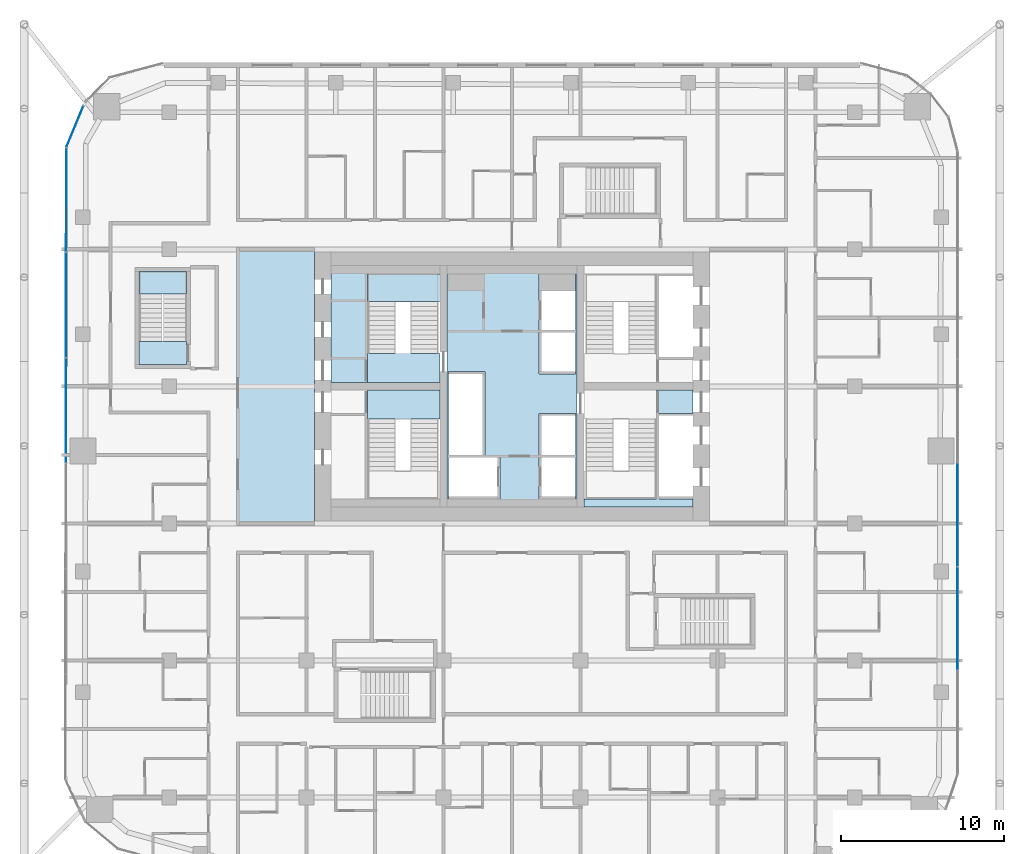
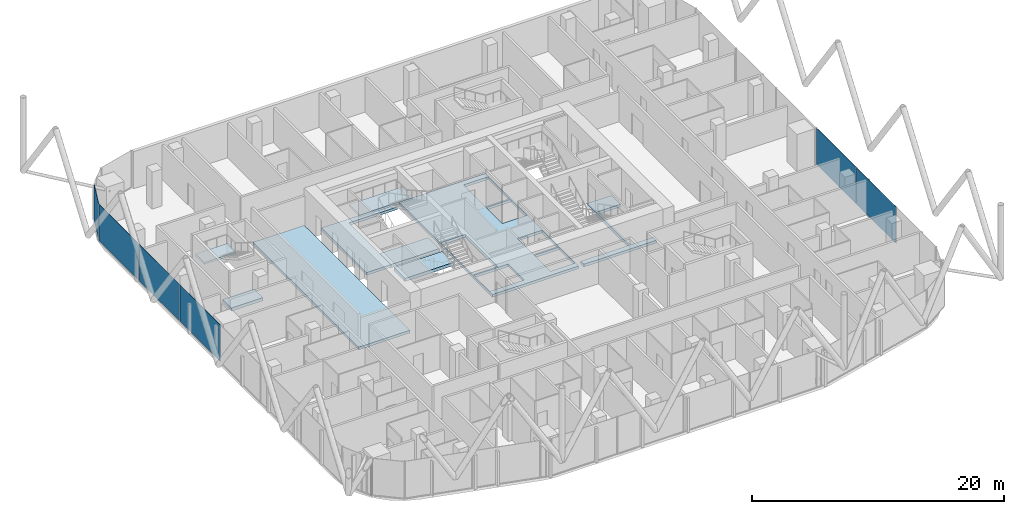
# One storey, part 21 of 33: 9 slabs, 6 plates, 5 elements without a shape of their own.
"""IFC4 building model written with IfcOpenShell, lengths in metres."""

from ifc_helpers import new_model, si_unit, direction, frame, origin, origin_2d, place, context, subcontext, project, spatial, polyline, rectangle, outline, extrude, material, layer, layer_set, type_object, element, aggregate, save


model = new_model("IFC4")

# Units and contexts
model_context = context("Model", 3, precision=1e-05, world=origin(), true_north=direction((0.0, 1.0)))
body_context = subcontext(model_context, "Body", "Model", "MODEL_VIEW")
ifc_project = project(units=[si_unit("LENGTHUNIT", "METRE"), si_unit("AREAUNIT", "SQUARE_METRE"), si_unit("VOLUMEUNIT", "CUBIC_METRE"), si_unit("PLANEANGLEUNIT", "RADIAN"), si_unit("MASSUNIT", "GRAM", prefix="KILO")], contexts=[model_context])

# Site, building, storey
site_placement = place(None, origin())
site = spatial("IfcSite", under=ifc_project, at=site_placement, CompositionType="ELEMENT")
building_placement = place(site_placement, origin())
building = spatial("IfcBuilding", under=site, at=building_placement, Name="Marenta Gate Hotel Tower", CompositionType="ELEMENT")
storey_placement = place(building_placement, frame((0.0, 0.0, 108.5)))
storey = spatial("IfcBuildingStorey", under=building, at=storey_placement, Name="L23", CompositionType="ELEMENT", Elevation=108.5)

# Slabs
ifc_material_1 = material(Name="Concrete C40", Category="concrete")
ifc_layer_1 = layer(ifc_material_1, 0.260009765625)
ifc_layer_set_1 = layer_set([ifc_layer_1], Name="Concrete C40")
slab_type_1 = type_object("IfcSlabType", Name="Core floor slab 260", PredefinedType="FLOOR", material=ifc_layer_set_1)
slab_1_placement = place(storey_placement, frame((0.0, 0.0, -0.260009765625)))
element("IfcSlab", 1, at=slab_1_placement, inside=storey, type_object=slab_type_1, Name="L23-CF-2", PredefinedType="FLOOR", context=body_context, shape_type="SweptSolid", body=[
    extrude(outline(polyline([(8.85009765625, 1.5), (8.85009765625, 6.39990234375), (8.85009765625, 8.10009765625), (8.85009765625, 8.175048828125), (11.10009765625, 8.175048828125), (11.10009765625, 6.75), (9.0, 6.75), (9.0, 6.60009765625), (9.0, 4.199951171875), (9.0, 4.050048828125), (9.0, 1.64990234375), (9.0, 1.5), (11.10009765625, 1.5), (11.10009765625, 1.0), (4.425048828125, 1.0), (4.425048828125, 1.5), (8.85009765625, 1.5)])), origin(), (0.0, 0.0, 1.0), 0.260009765625),
])
slab_2_placement = place(storey_placement, frame((0.0, 0.0, -0.260009765625)))
element("IfcSlab", 2, at=slab_2_placement, inside=storey, type_object=slab_type_1, Name="L23-CF-4", PredefinedType="FLOOR", context=body_context, shape_type="SweptSolid", body=[
    extrude(outline(polyline([(3.97509765625, 15.300048828125), (3.97509765625, 10.39990234375), (3.97509765625, 6.39990234375), (3.97509765625, 1.5), (3.97509765625, 1.0), (-3.97509765625, 1.0), (-3.97509765625, 1.5), (-3.97509765625, 6.39990234375), (-3.97509765625, 10.39990234375), (-3.97509765625, 15.300048828125), (-3.97509765625, 15.800048828125), (3.97509765625, 15.800048828125), (3.97509765625, 15.300048828125)]), holes=[polyline([(1.64990234375, 1.5), (3.89990234375, 1.5), (3.89990234375, 1.64990234375), (3.89990234375, 4.050048828125), (1.800048828125, 4.050048828125), (1.64990234375, 4.050048828125), (1.64990234375, 1.64990234375), (1.64990234375, 1.5)]), polyline([(1.64990234375, 6.60009765625), (1.64990234375, 4.199951171875), (1.800048828125, 4.199951171875), (3.89990234375, 4.199951171875), (3.89990234375, 6.60009765625), (3.89990234375, 6.75), (1.64990234375, 6.75), (1.64990234375, 6.60009765625)]), polyline([(1.64990234375, 9.14990234375), (3.89990234375, 9.14990234375), (3.89990234375, 9.300048828125), (3.89990234375, 11.699951171875), (1.800048828125, 11.699951171875), (1.64990234375, 11.699951171875), (1.64990234375, 9.300048828125), (1.64990234375, 9.14990234375)]), polyline([(1.64990234375, 15.300048828125), (1.64990234375, 14.25), (1.64990234375, 11.85009765625), (1.800048828125, 11.85009765625), (3.89990234375, 11.85009765625), (3.89990234375, 14.25), (3.89990234375, 15.300048828125), (1.64990234375, 15.300048828125)]), polyline([(-3.89990234375, 4.050048828125), (-3.89990234375, 1.64990234375), (-3.89990234375, 1.5), (-0.89990234375, 1.5), (-0.75, 1.5), (-0.75, 4.050048828125), (-0.89990234375, 4.050048828125), (-3.89990234375, 4.050048828125)]), polyline([(-1.800048828125, 4.199951171875), (-1.64990234375, 4.199951171875), (-1.64990234375, 9.14990234375), (-1.64990234375, 9.300048828125), (-3.89990234375, 9.300048828125), (-3.89990234375, 9.14990234375), (-3.89990234375, 6.75), (-3.89990234375, 6.60009765625), (-3.89990234375, 4.199951171875), (-1.800048828125, 4.199951171875)])]), origin(), (0.0, 0.0, 1.0), 0.260009765625),
])
slab_3_placement = place(storey_placement, frame((0.0, 0.0, -0.260009765625)))
element("IfcSlab", 3, at=slab_3_placement, inside=storey, type_object=slab_type_1, Name="L23-CF-6", PredefinedType="FLOOR", context=body_context, shape_type="SweptSolid", body=[
    extrude(outline(polyline([(-4.425048828125, 15.300048828125), (-8.85009765625, 15.300048828125), (-8.85009765625, 10.39990234375), (-8.85009765625, 8.699951171875), (-8.85009765625, 8.625), (-11.10009765625, 8.625), (-11.10009765625, 15.800048828125), (-4.425048828125, 15.800048828125), (-4.425048828125, 15.300048828125)])), origin(), (0.0, 0.0, 1.0), 0.260009765625),
])
slab_4_placement = place(storey_placement, frame((0.0, 0.0, -0.260009765625)))
element("IfcSlab", 4, at=slab_4_placement, inside=storey, type_object=slab_type_1, Name="L23-CF-7", PredefinedType="FLOOR", context=body_context, shape_type="SweptSolid", body=[
    extrude(outline(polyline([(-12.10009765625, 16.800048828125), (-12.10009765625, 0.0), (-16.800048828125, 0.0), (-16.800048828125, 16.800048828125), (-12.10009765625, 16.800048828125)])), origin(), (0.0, 0.0, 1.0), 0.260009765625),
])

# Stair, slab
ifc_material_2 = material(Name="Concrete C40", Category="concrete")
stair_type_1 = type_object("IfcStairType", Name="Core exit stair 1700 wide", PredefinedType="HALF_TURN_STAIR", material=ifc_material_2)
stair_1_placement = place(storey_placement, origin())
stair_1 = element("IfcStair", 5, at=stair_1_placement, inside=storey, type_object=stair_type_1, Name="Exit stair 2", PredefinedType="HALF_TURN_STAIR")
ifc_material_3 = material(Name="Concrete C40", Category="concrete")
ifc_layer_2 = layer(ifc_material_3, 0.199951171875)
ifc_layer_set_2 = layer_set([ifc_layer_2], Name="Concrete C40")
slab_type_2 = type_object("IfcSlabType", Name="Core stair landing 200", PredefinedType="LANDING", material=ifc_layer_set_2)
slab_5_placement = place(storey_placement, frame((0.0, 0.0, 1.60009765625)))
slab_5 = element("IfcSlab", 6, at=slab_5_placement, type_object=slab_type_2, Name="SL-200 ST2 landing 1", PredefinedType="LANDING", context=body_context, shape_type="SweptSolid", body=[
    extrude(outline(polyline([(-8.85009765625, 13.590087890625), (-3.97509765625, 13.590087890625), (-3.97509765625, 15.300048828125), (-8.85009765625, 15.300048828125), (-8.85009765625, 13.590087890625)])), origin(), (0.0, 0.0, 1.0), 0.199951171875),
])
aggregate(stair_1, [slab_5])

# Curtain wall, plate
ifc_material_4 = material(Name="Tinted insulated glass in bronze anodised frame", Category="glass")
ifc_layer_3 = layer(ifc_material_4, 0.1201171875)
ifc_layer_set_3 = layer_set([ifc_layer_3], Name="Tinted insulated glass in bronze anodised frame")
curtain_wall_type = type_object("IfcCurtainWallType", Name="Tower unitised curtain wall CW1", PredefinedType="NOTDEFINED", material=ifc_layer_set_3)
curtain_wall_1_placement = place(storey_placement, origin())
curtain_wall_1 = element("IfcCurtainWall", 7, at=curtain_wall_1_placement, inside=storey, type_object=curtain_wall_type, Name="CW1 run G03", PredefinedType="NOTDEFINED")
ifc_material_5 = material(Name="Tinted insulated glass", Category="glass")
ifc_layer_4 = layer(ifc_material_5, 0.028076171875)
ifc_layer_set_4 = layer_set([ifc_layer_4], Name="Tinted insulated glass")
plate_type = type_object("IfcPlateType", Name="Glass panel CW1 28 mm tinted insulated unit", PredefinedType="CURTAIN_PANEL", material=ifc_layer_set_4)
plate_1_placement = place(storey_placement, frame((-26.791015625, 24.324462890625, 0.06005859375), z_axis=(0.0, 0.0, 1.0), x_axis=(-0.382683829775, -0.923879367898, 0.0)))
plate_1 = element("IfcPlate", 8, at=plate_1_placement, type_object=plate_type, Name="CW1 panel 1.1", PredefinedType="CURTAIN_PANEL", context=body_context, shape_type="SweptSolid", body=[
    extrude(rectangle(XDim=2.72412109375, YDim=0.028076171875, at=origin_2d()), origin(), (0.0, 0.0, 1.0), 3.5400390625),
])
aggregate(curtain_wall_1, [plate_1])

# Curtain wall, plates
curtain_wall_2_placement = place(storey_placement, origin())
curtain_wall_2 = element("IfcCurtainWall", 9, at=curtain_wall_2_placement, inside=storey, type_object=curtain_wall_type, Name="CW1 run G04", PredefinedType="NOTDEFINED")
plate_2_placement = place(storey_placement, frame((-27.3173828125, 19.8212890625, 0.06005859375), z_axis=(0.0, 0.0, 1.0), x_axis=(-0.001566045546, -0.99999877375, 0.0)))
plate_2 = element("IfcPlate", 10, at=plate_2_placement, type_object=plate_type, Name="CW1 panel 1.1", PredefinedType="CURTAIN_PANEL", context=body_context, shape_type="SweptSolid", body=[
    extrude(rectangle(XDim=6.3701171875, YDim=0.028076171875, at=origin_2d()), origin(), (0.0, 0.0, 1.0), 3.5400390625),
])
plate_3_placement = place(storey_placement, frame((-27.327392578125, 13.376220703125, 0.06005859375), z_axis=(0.0, 0.0, 1.0), x_axis=(-0.001566045546, -0.99999877375, 0.0)))
plate_3 = element("IfcPlate", 11, at=plate_3_placement, type_object=plate_type, Name="CW1 panel 2.1", PredefinedType="CURTAIN_PANEL", context=body_context, shape_type="SweptSolid", body=[
    extrude(rectangle(XDim=6.39990234375, YDim=0.028076171875, at=origin_2d()), origin(), (0.0, 0.0, 1.0), 3.5400390625),
])
plate_4_placement = place(storey_placement, frame((-27.337646484375, 6.916259765625, 0.06005859375), z_axis=(0.0, 0.0, 1.0), x_axis=(-0.001566045546, -0.99999877375, 0.0)))
plate_4 = element("IfcPlate", 12, at=plate_4_placement, type_object=plate_type, Name="CW1 panel 3.1", PredefinedType="CURTAIN_PANEL", context=body_context, shape_type="SweptSolid", body=[
    extrude(rectangle(XDim=6.39990234375, YDim=0.028076171875, at=origin_2d()), origin(), (0.0, 0.0, 1.0), 3.5400390625),
])
aggregate(curtain_wall_2, [plate_2, plate_3, plate_4])

curtain_wall_3_placement = place(storey_placement, origin())
curtain_wall_3 = element("IfcCurtainWall", 13, at=curtain_wall_3_placement, inside=storey, type_object=curtain_wall_type, Name="CW1 run G19", PredefinedType="NOTDEFINED")
plate_5_placement = place(storey_placement, frame((27.31396484375, -5.828125, 0.06005859375), z_axis=(0.0, 0.0, 1.0), x_axis=(0.0, 1.0, 0.0)))
plate_5 = element("IfcPlate", 14, at=plate_5_placement, type_object=plate_type, Name="CW1 panel 2.1", PredefinedType="CURTAIN_PANEL", context=body_context, shape_type="SweptSolid", body=[
    extrude(rectangle(XDim=6.300048828125, YDim=0.028076171875, at=origin_2d()), origin(), (0.0, 0.0, 1.0), 3.5400390625),
])
plate_6_placement = place(storey_placement, frame((27.31396484375, 0.531982421875, 0.06005859375), z_axis=(0.0, 0.0, 1.0), x_axis=(0.0, 1.0, 0.0)))
plate_6 = element("IfcPlate", 15, at=plate_6_placement, type_object=plate_type, Name="CW1 panel 3.1", PredefinedType="CURTAIN_PANEL", context=body_context, shape_type="SweptSolid", body=[
    extrude(rectangle(XDim=6.300048828125, YDim=0.028076171875, at=origin_2d()), origin(), (0.0, 0.0, 1.0), 3.5400390625),
])
aggregate(curtain_wall_3, [plate_5, plate_6])

# Stair, slab
ifc_material_6 = material(Name="Concrete C40", Category="concrete")
stair_type_2 = type_object("IfcStairType", Name="Remote exit stair 1400 wide", PredefinedType="HALF_TURN_STAIR", material=ifc_material_6)
stair_2_placement = place(storey_placement, origin())
stair_2 = element("IfcStair", 16, at=stair_2_placement, inside=storey, type_object=stair_type_2, Name="Exit stair RS-Z1-3", PredefinedType="HALF_TURN_STAIR")
ifc_material_7 = material(Name="Concrete C40", Category="concrete")
ifc_layer_5 = layer(ifc_material_7, 0.199951171875)
ifc_layer_set_5 = layer_set([ifc_layer_5], Name="Concrete C40")
slab_type_3 = type_object("IfcSlabType", Name="Remote stair landing 200", PredefinedType="LANDING", material=ifc_layer_set_5)
slab_6_placement = place(storey_placement, frame((0.0, 0.0, 1.60009765625)))
slab_6 = element("IfcSlab", 17, at=slab_6_placement, type_object=slab_type_3, Name="RL-200 RS-Z1-3 landing 1", PredefinedType="LANDING", context=body_context, shape_type="SweptSolid", body=[
    extrude(outline(polyline([(-22.85009765625, 14.050048828125), (-19.949951171875, 14.050048828125), (-19.949951171875, 15.449951171875), (-22.85009765625, 15.449951171875), (-22.85009765625, 14.050048828125)])), origin(), (0.0, 0.0, 1.0), 0.199951171875),
])
aggregate(stair_2, [slab_6])

# Slabs
ifc_material_8 = material(Name="Concrete C40", Category="concrete")
ifc_layer_6 = layer(ifc_material_8, 0.300048828125)
ifc_layer_set_6 = layer_set([ifc_layer_6], Name="Concrete C40")
slab_type_4 = type_object("IfcSlabType", Name="Stair floor landing slab 300", PredefinedType="FLOOR", material=ifc_layer_set_6)
slab_7_placement = place(storey_placement, frame((0.0, 0.0, -0.300048828125)))
element("IfcSlab", 18, at=slab_7_placement, inside=storey, type_object=slab_type_4, Name="L23-CL-ST1-1", PredefinedType="FLOOR", context=body_context, shape_type="SweptSolid", body=[
    extrude(outline(polyline([(-4.425048828125, 6.39990234375), (-8.85009765625, 6.39990234375), (-8.85009765625, 8.10009765625), (-8.85009765625, 8.175048828125), (-4.425048828125, 8.175048828125), (-4.425048828125, 6.39990234375)])), origin(), (0.0, 0.0, 1.0), 0.300048828125),
])
slab_8_placement = place(storey_placement, frame((0.0, 0.0, -0.300048828125)))
element("IfcSlab", 19, at=slab_8_placement, inside=storey, type_object=slab_type_4, Name="L23-CL-ST2-1", PredefinedType="FLOOR", context=body_context, shape_type="SweptSolid", body=[
    extrude(outline(polyline([(-4.425048828125, 8.625), (-8.85009765625, 8.625), (-8.85009765625, 8.699951171875), (-8.85009765625, 10.39990234375), (-4.425048828125, 10.39990234375), (-4.425048828125, 8.625)])), origin(), (0.0, 0.0, 1.0), 0.300048828125),
])
slab_9_placement = place(storey_placement, frame((0.0, 0.0, -0.300048828125)))
element("IfcSlab", 20, at=slab_9_placement, inside=storey, type_object=slab_type_4, Name="L23-RS-Z1-3-CL", PredefinedType="FLOOR", context=body_context, shape_type="SweptSolid", body=[
    extrude(outline(polyline([(-19.949951171875, 9.75), (-19.949951171875, 11.14990234375), (-22.85009765625, 11.14990234375), (-22.85009765625, 9.75), (-19.949951171875, 9.75)])), origin(), (0.0, 0.0, 1.0), 0.300048828125),
])

save(model, "model.ifc")
